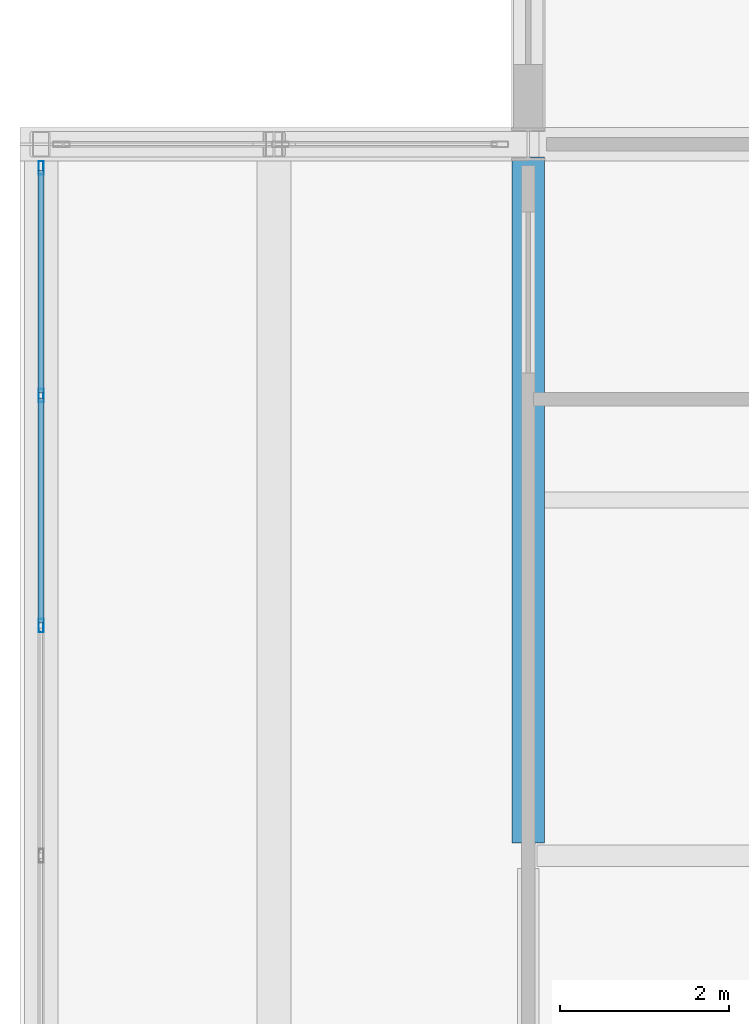
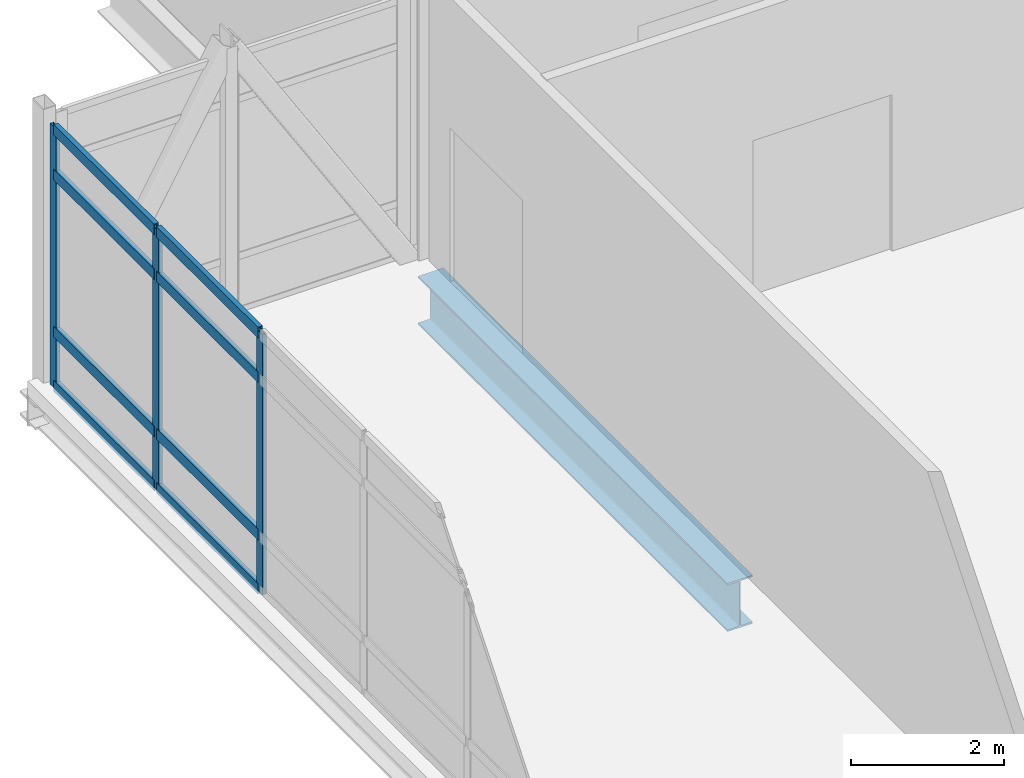
# One storey, part 14 of 45: 11 members, 1 beam, 1 element without a shape of its own.
"""IFC4 building model written with IfcOpenShell, lengths in metres."""

from ifc_helpers import new_model, si_unit, direction, frame, origin, origin_2d, place, context, subcontext, project, spatial, hollow_rectangle, i_section, extrude, material, layer, layer_set, material_profile, profile_set, type_object, element, aggregate, save


model = new_model("IFC4")

# Units and contexts
model_context = context("Model", 3, precision=1e-05, world=origin(), true_north=direction((0.0, 1.0)))
body_context = subcontext(model_context, "Body", "Model", "MODEL_VIEW")
ifc_project = project(units=[si_unit("LENGTHUNIT", "METRE"), si_unit("AREAUNIT", "SQUARE_METRE"), si_unit("VOLUMEUNIT", "CUBIC_METRE"), si_unit("PLANEANGLEUNIT", "RADIAN"), si_unit("MASSUNIT", "GRAM", prefix="KILO")], contexts=[model_context])

# Site, building, storey
site_placement = place(None, origin())
site = spatial("IfcSite", under=ifc_project, at=site_placement, CompositionType="ELEMENT")
building_placement = place(site_placement, origin())
building = spatial("IfcBuilding", under=site, at=building_placement, Name="Calvrana Isthmian Art Gallery", CompositionType="ELEMENT")
storey_placement = place(building_placement, frame((0.0, 0.0, 19.800048828125)))
storey = spatial("IfcBuildingStorey", under=building, at=storey_placement, Name="L04", CompositionType="ELEMENT", Elevation=19.800048828125)

# Beam
ifc_material_1 = material(Name="Steel ASTM A992 Gr 50", Category="steel")
ifc_material_profile_1 = material_profile(ifc_material_1, i_section(OverallWidth=0.381103515625, OverallDepth=0.77197265625, WebThickness=0.0166015625, FlangeThickness=0.027099609375, FilletRadius=0.02490234375, at=origin_2d()), Name="W30X173")
ifc_profile_set_1 = profile_set([ifc_material_profile_1], Name="Steel ASTM A992 Gr 50")
beam_type = type_object("IfcBeamType", Name="BM-G-W30X173", PredefinedType="BEAM", material=ifc_profile_set_1)
beam_placement = place(storey_placement, frame((21.60009765625, 30.15234375, -0.651123046875), z_axis=(0.0, 1.0, 0.0), x_axis=(-1.0, 0.0, 0.0)))
element("IfcBeam", 1, at=beam_placement, inside=storey, type_object=beam_type, Name="Girder Y L04 04/E-F", PredefinedType="BEAM", context=body_context, shape_type="SweptSolid", body=[
    extrude(i_section(OverallWidth=0.381103515625, OverallDepth=0.77197265625, WebThickness=0.0166015625, FlangeThickness=0.027099609375, FilletRadius=0.02490234375, at=origin_2d()), origin(), (0.0, 0.0, 1.0), 8.09521484375),
])

# Curtain wall, members
ifc_material_2 = material(Name="Anodized bronze aluminium 6063-T6", Category="aluminium")
ifc_layer = layer(ifc_material_2, 0.179931640625, Name="Anodized bronze aluminium 6063-T6")
ifc_layer_set = layer_set([ifc_layer], Name="Anodized bronze aluminium 6063-T6")
curtain_wall_type = type_object("IfcCurtainWallType", Name="CW-STICK-163X42", PredefinedType="NOTDEFINED", material=ifc_layer_set)
curtain_wall_placement = place(storey_placement, origin())
curtain_wall = element("IfcCurtainWall", 2, at=curtain_wall_placement, inside=storey, type_object=curtain_wall_type, Name="Curtain wall CW-193", PredefinedType="NOTDEFINED")
ifc_material_profile_2 = material_profile(ifc_material_2, hollow_rectangle(XDim=0.06005859375, YDim=0.159912109375, WallThickness=0.00390625, at=origin_2d()), Name="CWM60X160")
ifc_profile_set_2 = profile_set([ifc_material_profile_2], Name="Anodized bronze aluminium 6063-T6")
member_type_1 = type_object("IfcMemberType", Name="CWM-CWM60X160", PredefinedType="MULLION", material=ifc_profile_set_2)
member_1_placement = place(storey_placement, frame((15.85009765625, 32.716552734375, 0.0), z_axis=(0.0, 0.0, 1.0), x_axis=(-1.0, 0.0, 0.0)))
member_1 = element("IfcMember", 3, at=member_1_placement, type_object=member_type_1, Name="CW-193 mullion 5", PredefinedType="MULLION", context=body_context, shape_type="SweptSolid", body=[
    extrude(hollow_rectangle(XDim=0.06005859375, YDim=0.159912109375, WallThickness=0.00390625, at=origin_2d()), origin(), (0.0, 0.0, 1.0), 4.160888671875),
])
member_2_placement = place(storey_placement, frame((15.85009765625, 35.433349609375, 0.0), z_axis=(0.0, 0.0, 1.0), x_axis=(-1.0, 0.0, 0.0)))
member_2 = element("IfcMember", 4, at=member_2_placement, type_object=member_type_1, Name="CW-193 mullion 6", PredefinedType="MULLION", context=body_context, shape_type="SweptSolid", body=[
    extrude(hollow_rectangle(XDim=0.06005859375, YDim=0.159912109375, WallThickness=0.00390625, at=origin_2d()), origin(), (0.0, 0.0, 1.0), 4.160888671875),
])
member_3_placement = place(storey_placement, frame((15.85009765625, 38.1201171875, 0.0), z_axis=(0.0, 0.0, 1.0), x_axis=(-1.0, 0.0, 0.0)))
member_3 = element("IfcMember", 5, at=member_3_placement, type_object=member_type_1, Name="CW-193 mullion 7", PredefinedType="MULLION", context=body_context, shape_type="SweptSolid", body=[
    extrude(hollow_rectangle(XDim=0.06005859375, YDim=0.159912109375, WallThickness=0.00390625, at=origin_2d()), origin(), (0.0, 0.0, 1.0), 4.160888671875),
])
ifc_material_profile_3 = material_profile(ifc_material_2, hollow_rectangle(XDim=0.070068359375, YDim=0.169921875, WallThickness=0.00439453125, at=origin_2d()), Name="CWT70X170")
ifc_profile_set_3 = profile_set([ifc_material_profile_3], Name="Anodized bronze aluminium 6063-T6")
member_type_2 = type_object("IfcMemberType", Name="CWT-CWT70X170", PredefinedType="USERDEFINED", material=ifc_profile_set_3)
member_4_placement = place(storey_placement, frame((15.85009765625, 32.74658203125, 0.034912109375), z_axis=(0.0, 1.0, 0.0), x_axis=(-1.0, 0.0, 0.0)))
member_4 = element("IfcMember", 6, at=member_4_placement, type_object=member_type_2, Name="CW-193 transom 5.1", ObjectType="TRANSOM", PredefinedType="USERDEFINED", context=body_context, shape_type="SweptSolid", body=[
    extrude(hollow_rectangle(XDim=0.070068359375, YDim=0.169921875, WallThickness=0.00439453125, at=origin_2d()), origin(), (0.0, 0.0, 1.0), 2.65673828125),
])
member_5_placement = place(storey_placement, frame((15.85009765625, 32.74658203125, 0.89990234375), z_axis=(0.0, 1.0, 0.0), x_axis=(-1.0, 0.0, 0.0)))
member_5 = element("IfcMember", 7, at=member_5_placement, type_object=member_type_2, Name="CW-193 transom 5.2", ObjectType="TRANSOM", PredefinedType="USERDEFINED", context=body_context, shape_type="SweptSolid", body=[
    extrude(hollow_rectangle(XDim=0.070068359375, YDim=0.169921875, WallThickness=0.00439453125, at=origin_2d()), origin(), (0.0, 0.0, 1.0), 2.65673828125),
])
member_6_placement = place(storey_placement, frame((15.85009765625, 32.74658203125, 3.410888671875), z_axis=(0.0, 1.0, 0.0), x_axis=(-1.0, 0.0, 0.0)))
member_6 = element("IfcMember", 8, at=member_6_placement, type_object=member_type_2, Name="CW-193 transom 5.3", ObjectType="TRANSOM", PredefinedType="USERDEFINED", context=body_context, shape_type="SweptSolid", body=[
    extrude(hollow_rectangle(XDim=0.070068359375, YDim=0.169921875, WallThickness=0.00439453125, at=origin_2d()), origin(), (0.0, 0.0, 1.0), 2.65673828125),
])
member_7_placement = place(storey_placement, frame((15.85009765625, 32.74658203125, 4.1259765625), z_axis=(0.0, 1.0, 0.0), x_axis=(-1.0, 0.0, 0.0)))
member_7 = element("IfcMember", 9, at=member_7_placement, type_object=member_type_2, Name="CW-193 transom 5.4", ObjectType="TRANSOM", PredefinedType="USERDEFINED", context=body_context, shape_type="SweptSolid", body=[
    extrude(hollow_rectangle(XDim=0.070068359375, YDim=0.169921875, WallThickness=0.00439453125, at=origin_2d()), origin(), (0.0, 0.0, 1.0), 2.65673828125),
])
member_8_placement = place(storey_placement, frame((15.85009765625, 35.46337890625, 0.034912109375), z_axis=(0.0, 1.0, 0.0), x_axis=(-1.0, 0.0, 0.0)))
member_8 = element("IfcMember", 10, at=member_8_placement, type_object=member_type_2, Name="CW-193 transom 6.1", ObjectType="TRANSOM", PredefinedType="USERDEFINED", context=body_context, shape_type="SweptSolid", body=[
    extrude(hollow_rectangle(XDim=0.070068359375, YDim=0.169921875, WallThickness=0.00439453125, at=origin_2d()), origin(), (0.0, 0.0, 1.0), 2.626708984375),
])
member_9_placement = place(storey_placement, frame((15.85009765625, 35.46337890625, 0.89990234375), z_axis=(0.0, 1.0, 0.0), x_axis=(-1.0, 0.0, 0.0)))
member_9 = element("IfcMember", 11, at=member_9_placement, type_object=member_type_2, Name="CW-193 transom 6.2", ObjectType="TRANSOM", PredefinedType="USERDEFINED", context=body_context, shape_type="SweptSolid", body=[
    extrude(hollow_rectangle(XDim=0.070068359375, YDim=0.169921875, WallThickness=0.00439453125, at=origin_2d()), origin(), (0.0, 0.0, 1.0), 2.626708984375),
])
member_10_placement = place(storey_placement, frame((15.85009765625, 35.46337890625, 3.410888671875), z_axis=(0.0, 1.0, 0.0), x_axis=(-1.0, 0.0, 0.0)))
member_10 = element("IfcMember", 12, at=member_10_placement, type_object=member_type_2, Name="CW-193 transom 6.3", ObjectType="TRANSOM", PredefinedType="USERDEFINED", context=body_context, shape_type="SweptSolid", body=[
    extrude(hollow_rectangle(XDim=0.070068359375, YDim=0.169921875, WallThickness=0.00439453125, at=origin_2d()), origin(), (0.0, 0.0, 1.0), 2.626708984375),
])
member_11_placement = place(storey_placement, frame((15.85009765625, 35.46337890625, 4.1259765625), z_axis=(0.0, 1.0, 0.0), x_axis=(-1.0, 0.0, 0.0)))
member_11 = element("IfcMember", 13, at=member_11_placement, type_object=member_type_2, Name="CW-193 transom 6.4", ObjectType="TRANSOM", PredefinedType="USERDEFINED", context=body_context, shape_type="SweptSolid", body=[
    extrude(hollow_rectangle(XDim=0.070068359375, YDim=0.169921875, WallThickness=0.00439453125, at=origin_2d()), origin(), (0.0, 0.0, 1.0), 2.626708984375),
])
aggregate(curtain_wall, [member_1, member_2, member_3, member_4, member_5, member_6, member_7, member_8, member_9, member_10, member_11])

save(model, "model.ifc")
